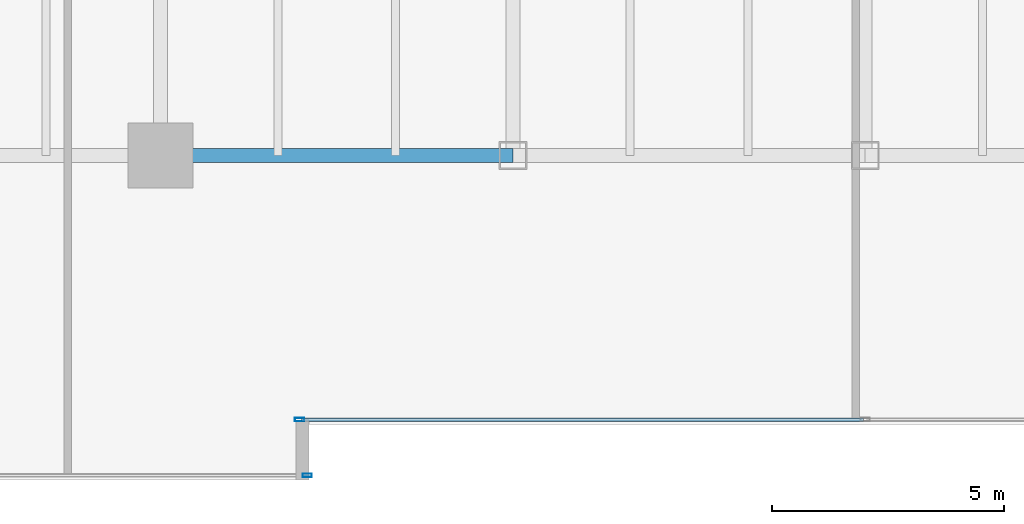
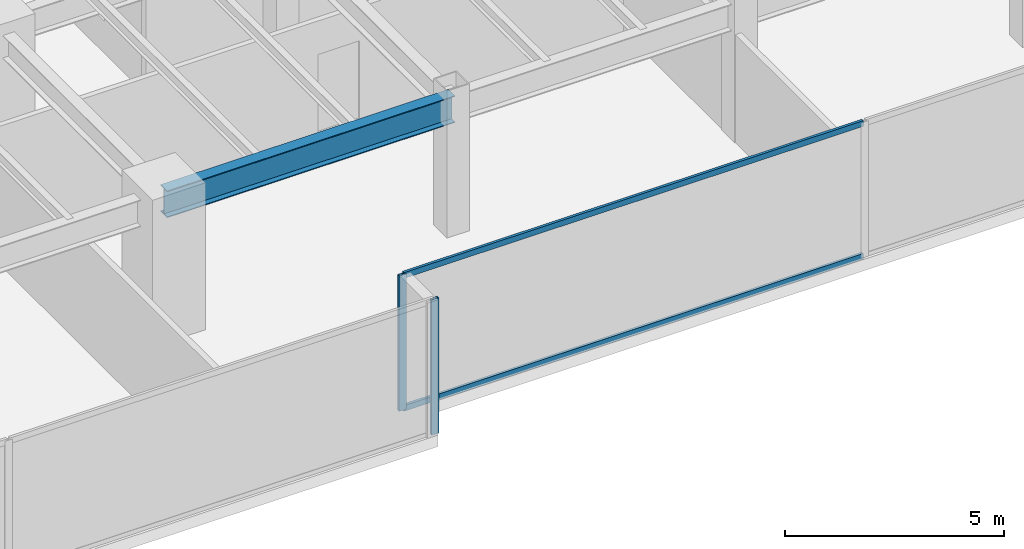
# One storey, part 4 of 35: 4 members, 1 beam, 2 elements without a shape of their own.
"""IFC4 building model written with IfcOpenShell, lengths in metres."""

from ifc_helpers import new_model, si_unit, direction, frame, origin, origin_2d, place, context, subcontext, project, spatial, hollow_rectangle, i_section, extrude, source, transform, mapped, material, layer, layer_set, material_profile, profile_set, type_object, type_shapes, element, aggregate, save


model = new_model("IFC4")

# Units and contexts
model_context = context("Model", 3, precision=1e-05, world=origin(), true_north=direction((0.0, 1.0)))
body_context = subcontext(model_context, "Body", "Model", "MODEL_VIEW")
ifc_project = project(units=[si_unit("LENGTHUNIT", "METRE"), si_unit("AREAUNIT", "SQUARE_METRE"), si_unit("VOLUMEUNIT", "CUBIC_METRE"), si_unit("PLANEANGLEUNIT", "RADIAN"), si_unit("MASSUNIT", "GRAM", prefix="KILO")], contexts=[model_context])

# Site, building, storey
site_placement = place(None, origin())
site = spatial("IfcSite", under=ifc_project, at=site_placement, CompositionType="ELEMENT")
building_placement = place(site_placement, origin())
building = spatial("IfcBuilding", under=site, at=building_placement, Name="Haelvirn Gate Laboratories", CompositionType="ELEMENT")
storey_placement = place(building_placement, frame((0.0, 0.0, 66.199951171875)))
storey = spatial("IfcBuildingStorey", under=building, at=storey_placement, Name="L16", CompositionType="ELEMENT", Elevation=66.199951171875)

# Beam
ifc_material_1 = material(Name="Steel SM355", Category="steel")
ifc_material_profile_1 = material_profile(ifc_material_1, i_section(OverallWidth=0.300048828125, OverallDepth=0.75, WebThickness=0.013916015625, FlangeThickness=0.02392578125, at=origin_2d()), Name="H-750x300x14x24")
ifc_profile_set_1 = profile_set([ifc_material_profile_1], Name="Steel SM355")
beam_type = type_object("IfcBeamType", Name="BM-G-750", PredefinedType="BEAM", material=ifc_profile_set_1)
shared_shape_1 = source(origin(), body_context, "Body", "SweptSolid", [
    extrude(i_section(OverallWidth=0.300048828125, OverallDepth=0.75, WebThickness=0.013916015625, FlangeThickness=0.02392578125, at=origin_2d()), origin(), (0.0, 0.0, 1.0), 7.60009765625),
])
type_shapes(beam_type, [shared_shape_1])
beam_placement = place(storey_placement, frame((22.199951171875, 7.0, 3.405029296875), z_axis=(1.0, 0.0, 0.0), x_axis=(0.0, 1.0, 0.0)))
element("IfcBeam", 1, at=beam_placement, inside=storey, type_object=beam_type, Name="L16 Primary Girder Y7.0 (22.2-29.8)", PredefinedType="BEAM", context=body_context, shape_type="MappedRepresentation", body=[
    mapped(shared_shape_1, transform((0.0, 0.0, 0.0), scale=1.0)),
])

# Curtain wall, member
ifc_material_2 = material(Name="Anodised bronze unitised aluminium & triple low-E glass", Category="aluminium")
ifc_layer = layer(ifc_material_2, 0.18408203125, Name="CW-SYS-2")
ifc_layer_set = layer_set([ifc_layer], Name="Anodised bronze unitised aluminium & triple low-E glass")
curtain_wall_type = type_object("IfcCurtainWallType", Name="CW-SYS-2", PredefinedType="NOTDEFINED", material=ifc_layer_set)
curtain_wall_1_placement = place(storey_placement, origin())
curtain_wall_1 = element("IfcCurtainWall", 2, at=curtain_wall_1_placement, inside=storey, type_object=curtain_wall_type, Name="L16 Unitised Curtain Wall CW-L16-P0-E00-1", PredefinedType="NOTDEFINED")
ifc_material_3 = material(Name="Extruded aluminium 6063-T6 (anodised bronze)", Category="aluminium")
ifc_material_profile_2 = material_profile(ifc_material_3, hollow_rectangle(XDim=0.074951171875, YDim=0.199951171875, WallThickness=0.0048828125, at=origin_2d()), Name="CWM-200x75x5")
ifc_profile_set_2 = profile_set([ifc_material_profile_2], Name="Extruded aluminium 6063-T6 (anodised bronze)")
member_type_1 = type_object("IfcMemberType", Name="CWM-T200", PredefinedType="MULLION", material=ifc_profile_set_2)
shared_shape_2 = source(origin(), body_context, "Body", "SweptSolid", [
    extrude(hollow_rectangle(XDim=0.074951171875, YDim=0.199951171875, WallThickness=0.0048828125, at=origin_2d()), origin(), (0.0, 0.0, 1.0), 3.780029296875),
])
type_shapes(member_type_1, [shared_shape_2])
member_1_placement = place(storey_placement, frame((25.362548828125, 0.10009765625, 0.0), z_axis=(0.0, 0.0, 1.0), x_axis=(0.0, 1.0, 0.0)))
member_1 = element("IfcMember", 3, at=member_1_placement, type_object=member_type_1, Name="CW2 mullion 3", PredefinedType="MULLION", context=body_context, shape_type="MappedRepresentation", body=[
    mapped(shared_shape_2, transform((0.0, 0.0, 0.0), scale=1.0)),
])
aggregate(curtain_wall_1, [member_1])

# Curtain wall, members
curtain_wall_2_placement = place(storey_placement, origin())
curtain_wall_2 = element("IfcCurtainWall", 4, at=curtain_wall_2_placement, inside=storey, type_object=curtain_wall_type, Name="L16 Unitised Curtain Wall CW-L16-P0-E02-1", PredefinedType="NOTDEFINED")
member_2_placement = place(storey_placement, frame((25.197509765625, 1.300048828125, 0.0), z_axis=(0.0, 0.0, 1.0), x_axis=(0.0, 1.0, 0.0)))
member_2 = element("IfcMember", 5, at=member_2_placement, type_object=member_type_1, Name="CW2 mullion 1", PredefinedType="MULLION", context=body_context, shape_type="MappedRepresentation", body=[
    mapped(shared_shape_2, transform((0.0, 0.0, 0.0), scale=1.0)),
])
ifc_material_profile_3 = material_profile(ifc_material_3, hollow_rectangle(XDim=0.070068359375, YDim=0.159912109375, WallThickness=0.0048828125, at=origin_2d()), Name="CWT-160x70x5")
ifc_profile_set_3 = profile_set([ifc_material_profile_3], Name="Extruded aluminium 6063-T6 (anodised bronze)")
member_type_2 = type_object("IfcMemberType", Name="CWT-T160", PredefinedType="USERDEFINED", material=ifc_profile_set_3)
shared_shape_3 = source(origin(), body_context, "Body", "SweptSolid", [
    extrude(hollow_rectangle(XDim=0.070068359375, YDim=0.159912109375, WallThickness=0.0048828125, at=origin_2d()), origin(), (0.0, 0.0, 1.0), 12.12744140625),
])
type_shapes(member_type_2, [shared_shape_3])
member_3_placement = place(storey_placement, frame((25.235107421875, 1.300048828125, 0.03515625), z_axis=(1.0, 0.0, 0.0), x_axis=(0.0, 1.0, 0.0)))
member_3 = element("IfcMember", 6, at=member_3_placement, type_object=member_type_2, Name="CW2 transom 1.1", ObjectType="TRANSOM", PredefinedType="USERDEFINED", context=body_context, shape_type="MappedRepresentation", body=[
    mapped(shared_shape_3, transform((0.0, 0.0, 0.0), scale=1.0)),
])
member_4_placement = place(storey_placement, frame((25.235107421875, 1.300048828125, 3.7451171875), z_axis=(1.0, 0.0, 0.0), x_axis=(0.0, 1.0, 0.0)))
member_4 = element("IfcMember", 7, at=member_4_placement, type_object=member_type_2, Name="CW2 transom 1.2", ObjectType="TRANSOM", PredefinedType="USERDEFINED", context=body_context, shape_type="MappedRepresentation", body=[
    mapped(shared_shape_3, transform((0.0, 0.0, 0.0), scale=1.0)),
])
aggregate(curtain_wall_2, [member_2, member_3, member_4])

save(model, "model.ifc")
